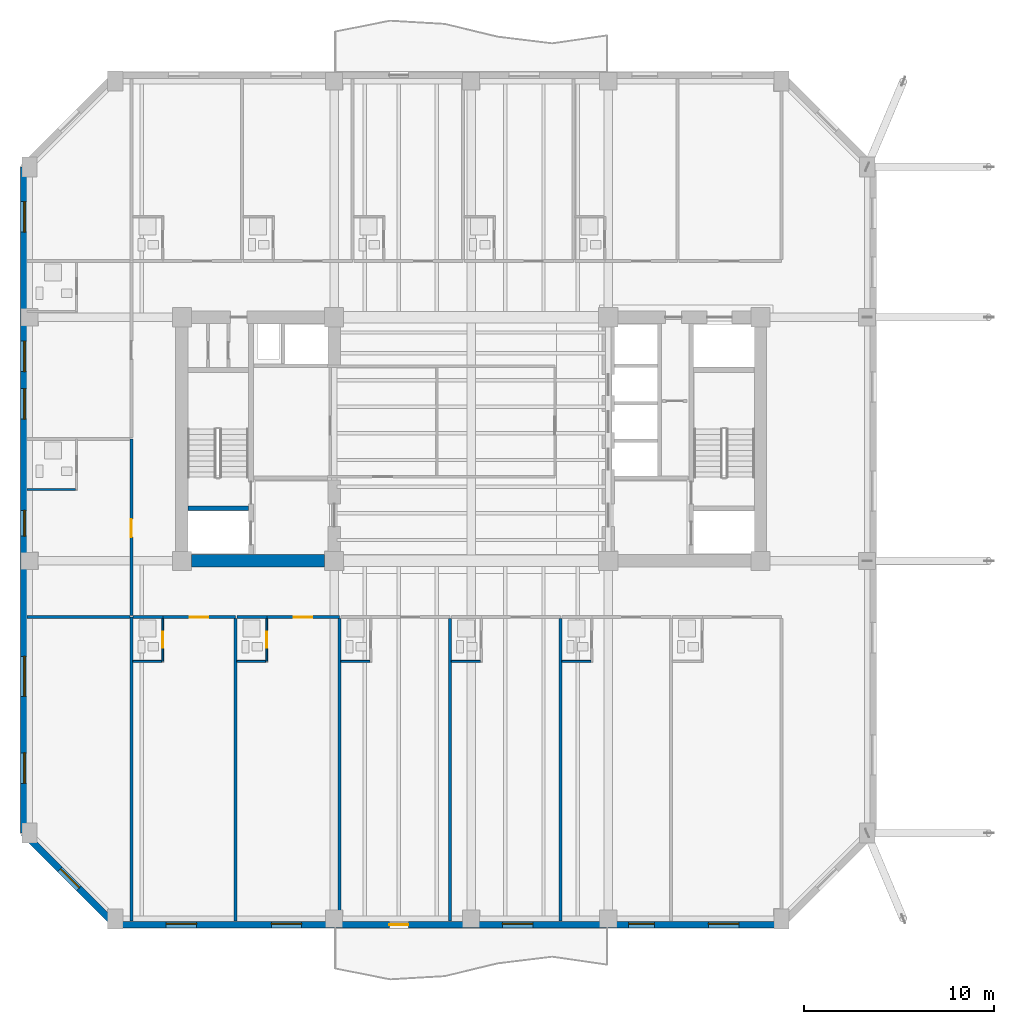
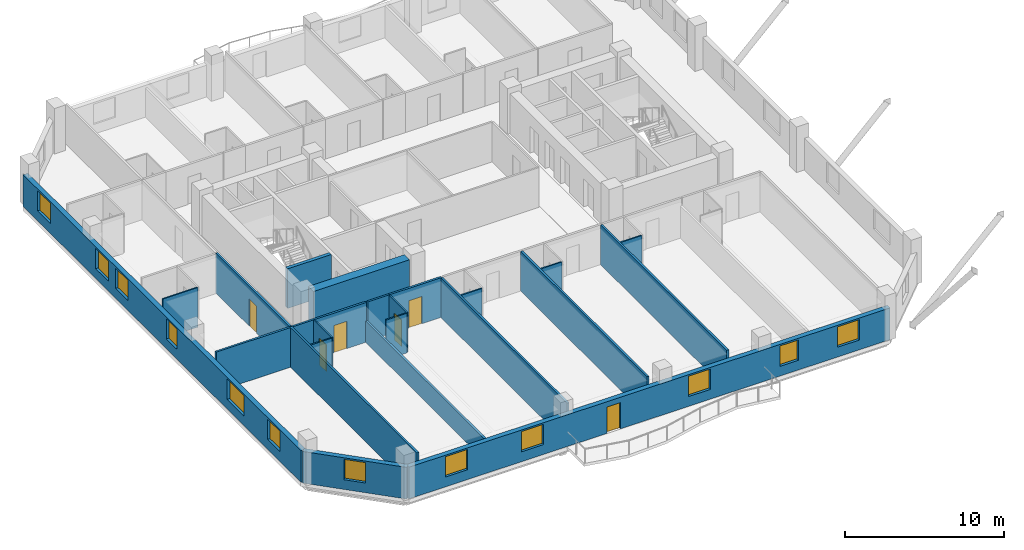
# One storey, part 5 of 14: 24 walls, 12 windows, 6 doors, 18 openings.
"""IFC4 building model written with IfcOpenShell, lengths in metres."""

import ifcopenshell
import ifcopenshell.guid

model = None  # the IFC model being written
_history = None  # IfcOwnerHistory: only IFC2X3 demands one
_inside = {}  # id of a spatial element -> (the spatial element, [elements in it])
_under = {}  # id of a project, library or spatial element -> (it, [spatial elements below it])
_declared = {}  # id of a project -> (the project, [libraries it declares])
_typed = {}  # id of a type object -> (the type object, [elements of that type])
_made_of = {}  # id of a material, layer set ... -> (it, [elements and type objects made of it])


def new_model(schema):
    """Start an empty IFC model of exactly this schema.

    Asked for "IFC4X3", IfcOpenShell would pick the latest addendum, in which some entities
    have other attributes; the version numbers below select the first issue.
    IFC2X3 requires an IfcOwnerHistory on every rooted entity: one is made here for all.
    """
    global model, _history
    if schema == "IFC4X3":
        model = ifcopenshell.file(schema_version=(4, 3, 0, 0))
    else:
        model = ifcopenshell.file(schema=schema)
    _inside.clear()
    _under.clear()
    _declared.clear()
    _typed.clear()
    _made_of.clear()
    _history = None
    if model.schema == "IFC2X3":
        org = make("IfcOrganization", Name="unknown")
        user = make(
            "IfcPersonAndOrganization",
            ThePerson=make("IfcPerson", FamilyName="unknown"),
            TheOrganization=org,
        )
        app = make(
            "IfcApplication",
            ApplicationDeveloper=org,
            Version="unknown",
            ApplicationFullName="unknown",
            ApplicationIdentifier="unknown",
        )
        _history = make(
            "IfcOwnerHistory",
            OwningUser=user,
            OwningApplication=app,
            ChangeAction="ADDED",
            CreationDate=0,
        )
    return model


def make(cls, **values):
    """One entity of the class cls with the attributes given. An attribute that is None is left unset."""
    return model.create_entity(
        cls, **{name: value for name, value in values.items() if value is not None}
    )


def rooted(cls, **values):
    """An entity with a GlobalId (a new one), such as an element, a storey or a relation."""
    return make(cls, GlobalId=ifcopenshell.guid.new(), OwnerHistory=_history, **values)


def si_unit(unit_type, name, prefix=None):
    """IfcSIUnit, for example si_unit("LENGTHUNIT", "METRE", prefix="MILLI")."""
    return make("IfcSIUnit", UnitType=unit_type, Prefix=prefix, Name=name)


def assignment(units):
    """IfcUnitAssignment: the units of a project."""
    return None if units is None else make("IfcUnitAssignment", Units=units)


def point(xyz):
    """IfcCartesianPoint."""
    return None if xyz is None else make("IfcCartesianPoint", Coordinates=xyz)


def direction(xyz):
    """IfcDirection."""
    return None if xyz is None else make("IfcDirection", DirectionRatios=xyz)


def frame(location, z_axis=None, x_axis=None):
    """IfcAxis2Placement3D, a coordinate frame: its origin and axes. An axis left out is left unset."""
    return make(
        "IfcAxis2Placement3D",
        Location=point(location),
        Axis=direction(z_axis),
        RefDirection=direction(x_axis),
    )


def frame_2d(location, x_axis=None):
    """IfcAxis2Placement2D, a coordinate frame in the plane: its origin and x axis."""
    return make(
        "IfcAxis2Placement2D", Location=point(location), RefDirection=direction(x_axis)
    )


def origin():
    """The frame at (0, 0, 0) with its axes left unset."""
    return frame((0.0, 0.0, 0.0))


def place(relative_to, where):
    """IfcLocalPlacement: puts the frame where relative to a parent placement (None: the world)."""
    return make(
        "IfcLocalPlacement", PlacementRelTo=relative_to, RelativePlacement=where
    )


def context(
    kind, dimensions, precision=None, world=None, true_north=None, identifier=None
):
    """IfcGeometricRepresentationContext, for example the 3D "Model" context."""
    return make(
        "IfcGeometricRepresentationContext",
        ContextIdentifier=identifier,
        ContextType=kind,
        CoordinateSpaceDimension=dimensions,
        Precision=precision,
        WorldCoordinateSystem=world,
        TrueNorth=true_north,
    )


def subcontext(parent, identifier, kind, view, scale=None):
    """IfcGeometricRepresentationSubContext, for example "Body" below "Model"."""
    return make(
        "IfcGeometricRepresentationSubContext",
        ContextIdentifier=identifier,
        ContextType=kind,
        ParentContext=parent,
        TargetScale=scale,
        TargetView=view,
    )


def project(units=None, contexts=None):
    """IfcProject with its units and contexts."""
    return rooted(
        "IfcProject",
        Name="project",
        RepresentationContexts=contexts,
        UnitsInContext=assignment(units),
    )


def spatial(cls, under=None, at=None, **own):
    """A site, building, storey or space (cls), placed at a placement, below another one or the project."""
    s = rooted(cls, ObjectPlacement=at, **own)
    if under is not None:
        _under.setdefault(under.id(), (under, []))[1].append(s)
    return s


def profile(cls, at=None, kind="AREA", **sizes):
    """A parametric profile (cls). Its sizes go by their IFC names, for example OverallWidth=200.0."""
    return make(cls, ProfileType=kind, Position=at, **sizes)


def rectangle(**sizes):
    """IfcRectangleProfileDef."""
    return profile("IfcRectangleProfileDef", **sizes)


def extrude(swept, where, along, depth):
    """IfcExtrudedAreaSolid: the profile swept, set in the frame where, extruded along a direction by depth."""
    return make(
        "IfcExtrudedAreaSolid",
        SweptArea=swept,
        Position=where,
        ExtrudedDirection=direction(along),
        Depth=depth,
    )


def shape(context_of_items, identifier, shape_type, items):
    """IfcShapeRepresentation: the items that make up one representation, for example the "Body"."""
    return make(
        "IfcShapeRepresentation",
        ContextOfItems=context_of_items,
        RepresentationIdentifier=identifier,
        RepresentationType=shape_type,
        Items=items,
    )


def material(Name=None, Category=None):
    """IfcMaterial."""
    return make("IfcMaterial", Name=Name, Category=Category)


def layer(
    of_material, thickness, ventilated=None, Name=None, Category=None, Priority=None
):
    """IfcMaterialLayer: one layer of a wall or slab, of a material (None: an air gap)."""
    return make(
        "IfcMaterialLayer",
        Material=of_material,
        LayerThickness=thickness,
        IsVentilated=ventilated,
        Name=Name,
        Category=Category,
        Priority=Priority,
    )


def layer_set(layers, Name=None):
    """IfcMaterialLayerSet."""
    return make("IfcMaterialLayerSet", MaterialLayers=layers, LayerSetName=Name)


def made_of(thing, what):
    """Note that an element or type object is made of a material, layer set ...; save() writes the relation."""
    if what is not None:
        _made_of.setdefault(what.id(), (what, []))[1].append(thing)
    return thing


def type_object(cls, material=None, **own):
    """A type object (cls), such as IfcWallType, which elements share."""
    return made_of(rooted(cls, **own), material)


def element(
    cls,
    number,
    at=None,
    inside=None,
    cuts=None,
    type_object=None,
    material=None,
    context=None,
    identifier="Body",
    shape_type=None,
    held_by="IfcProductDefinitionShape",
    body=None,
    shapes=None,
    **own,
):
    """One element of the class cls, such as IfcWall. Its Tag is "e" and its number.

    at: its placement. inside: the storey or other place that contains it. cuts: it is an
    opening in that element (IfcRelVoidsElement). A single representation is given by context,
    identifier, shape_type and body (its items); several are given by shapes. held_by: the class
    of the entity that holds the representations. save() writes the other relations.
    """
    e = rooted(cls, Tag="e%d" % number, ObjectPlacement=at, **own)
    if body is not None:
        shapes = [shape(context, identifier, shape_type, body)]
    if shapes is not None:
        e.Representation = make(held_by, Representations=shapes)
    if inside is not None:
        _inside.setdefault(inside.id(), (inside, []))[1].append(e)
    if cuts is not None:
        rooted(
            "IfcRelVoidsElement", RelatingBuildingElement=cuts, RelatedOpeningElement=e
        )
    if type_object is not None:
        _typed.setdefault(type_object.id(), (type_object, []))[1].append(e)
    return made_of(e, material)


def fill(opening, filler):
    """IfcRelFillsElement: the door or window that sits in an opening."""
    return rooted(
        "IfcRelFillsElement",
        RelatingOpeningElement=opening,
        RelatedBuildingElement=filler,
    )


def aggregate(whole, parts):
    """IfcRelAggregates: a whole, such as a stair, and the parts it consists of."""
    return rooted("IfcRelAggregates", RelatingObject=whole, RelatedObjects=parts)


def save(model, path):
    """Write the relations noted so far, then the file.

    IfcRelAggregates (storeys below a building ...), IfcRelContainedInSpatialStructure (elements
    in a storey), IfcRelDefinesByType, IfcRelAssociatesMaterial and IfcRelDeclares: one each for
    every whole, place, type object, material and project.
    """
    for whole, parts in _under.values():
        aggregate(whole, parts)
    for where, things in _inside.values():
        rooted(
            "IfcRelContainedInSpatialStructure",
            RelatedElements=things,
            RelatingStructure=where,
        )
    for kind, things in _typed.values():
        rooted("IfcRelDefinesByType", RelatedObjects=things, RelatingType=kind)
    for what, things in _made_of.values():
        rooted("IfcRelAssociatesMaterial", RelatedObjects=things, RelatingMaterial=what)
    for by, libraries in _declared.values():
        rooted("IfcRelDeclares", RelatingContext=by, RelatedDefinitions=libraries)
    model.write(path)


model = new_model("IFC4")

# Units and contexts
model_context = context("Model", 3, precision=1e-05, world=origin(), true_north=direction((0.0, 1.0)))
body_context = subcontext(model_context, "Body", "Model", "MODEL_VIEW")
ifc_project = project(units=[si_unit("LENGTHUNIT", "METRE"), si_unit("AREAUNIT", "SQUARE_METRE"), si_unit("VOLUMEUNIT", "CUBIC_METRE"), si_unit("PLANEANGLEUNIT", "RADIAN"), si_unit("MASSUNIT", "GRAM", prefix="KILO")], contexts=[model_context])

# Site, building, storey
site_placement = place(None, origin())
site = spatial("IfcSite", under=ifc_project, at=site_placement, CompositionType="ELEMENT")
building_placement = place(site_placement, origin())
building = spatial("IfcBuilding", under=site, at=building_placement, Name="Kranthara Brick Stack", CompositionType="ELEMENT")
storey_placement = place(building_placement, frame((0.0, 0.0, 137.800048828125)))
storey = spatial("IfcBuildingStorey", under=building, at=storey_placement, Name="L34", CompositionType="ELEMENT", Elevation=137.800048828125)

# Wall, openings, door, windows
ifc_material_1 = material(Name="Kiln-fired clay brick masonry M15", Category="masonry")
ifc_layer_1 = layer(ifc_material_1, 0.35009765625)
ifc_layer_set_1 = layer_set([ifc_layer_1], Name="Kiln-fired clay brick masonry M15")
wall_type_1 = type_object("IfcWallType", Name="WL-BRK-SPND-350", PredefinedType="STANDARD", material=ifc_layer_set_1)
wall_1_placement = place(storey_placement, frame((44.300048828125, 1.695068359375, 0.0), z_axis=(0.0, 0.0, 1.0), x_axis=(-1.0, 0.0, 0.0)))
wall_1 = element("IfcWall", 1, at=wall_1_placement, inside=storey, type_object=wall_type_1, Name="L34 Exterior Brick Facade Wall SOUTH 1", PredefinedType="STANDARD", context=body_context, shape_type="SweptSolid", body=[
    extrude(rectangle(XDim=35.0, YDim=0.35009765625, at=frame_2d((17.5, 0.0))), origin(), (0.0, 0.0, 1.0), 2.43505859375),
])
opening_1_placement = place(wall_1_placement, frame((19.60009765625, 0.0, 0.0)))
opening_1 = element("IfcOpeningElement", 2, at=opening_1_placement, cuts=wall_1, Name="Opening D03", PredefinedType="OPENING", context=body_context, shape_type="SweptSolid", body=[
    extrude(rectangle(XDim=1.0, YDim=2.02001953125, at=frame_2d((0.5, 1.010009765625))), frame((0.0, 0.18505859375, 0.0), z_axis=(0.0, -1.0, 0.0), x_axis=(1.0, 0.0, 0.0)), (0.0, 0.0, 1.0), 0.3701171875),
])
opening_2_placement = place(wall_1_placement, frame((2.239990234375, 0.0, 0.75)))
opening_2 = element("IfcOpeningElement", 3, at=opening_2_placement, cuts=wall_1, Name="Opening WN04", PredefinedType="OPENING", context=body_context, shape_type="SweptSolid", body=[
    extrude(rectangle(XDim=1.60009765625, YDim=1.56494140625, at=frame_2d((0.800048828125, 0.782470703125))), frame((0.0, 0.18505859375, 0.0), z_axis=(0.0, -1.0, 0.0), x_axis=(1.0, 0.0, 0.0)), (0.0, 0.0, 1.0), 0.3701171875),
])
opening_3_placement = place(wall_1_placement, frame((6.677978515625, 0.0, 0.75)))
opening_3 = element("IfcOpeningElement", 4, at=opening_3_placement, cuts=wall_1, Name="Opening WN06", PredefinedType="OPENING", context=body_context, shape_type="SweptSolid", body=[
    extrude(rectangle(XDim=1.35009765625, YDim=1.56494140625, at=frame_2d((0.675048828125, 0.782470703125))), frame((0.0, 0.18505859375, 0.0), z_axis=(0.0, -1.0, 0.0), x_axis=(1.0, 0.0, 0.0)), (0.0, 0.0, 1.0), 0.3701171875),
])
opening_4_placement = place(wall_1_placement, frame((13.054931640625, 0.0, 0.75)))
opening_4 = element("IfcOpeningElement", 5, at=opening_4_placement, cuts=wall_1, Name="Opening WN04", PredefinedType="OPENING", context=body_context, shape_type="SweptSolid", body=[
    extrude(rectangle(XDim=1.60009765625, YDim=1.56494140625, at=frame_2d((0.800048828125, 0.782470703125))), frame((0.0, 0.18505859375, 0.0), z_axis=(0.0, -1.0, 0.0), x_axis=(1.0, 0.0, 0.0)), (0.0, 0.0, 1.0), 0.3701171875),
])
opening_5_placement = place(wall_1_placement, frame((25.199951171875, 0.0, 0.75)))
opening_5 = element("IfcOpeningElement", 6, at=opening_5_placement, cuts=wall_1, Name="Opening WN04", PredefinedType="OPENING", context=body_context, shape_type="SweptSolid", body=[
    extrude(rectangle(XDim=1.60009765625, YDim=1.56494140625, at=frame_2d((0.800048828125, 0.782470703125))), frame((0.0, 0.18505859375, 0.0), z_axis=(0.0, -1.0, 0.0), x_axis=(1.0, 0.0, 0.0)), (0.0, 0.0, 1.0), 0.3701171875),
])
opening_6_placement = place(wall_1_placement, frame((30.72509765625, 0.0, 0.75)))
opening_6 = element("IfcOpeningElement", 7, at=opening_6_placement, cuts=wall_1, Name="Opening WN04", PredefinedType="OPENING", context=body_context, shape_type="SweptSolid", body=[
    extrude(rectangle(XDim=1.60009765625, YDim=1.56494140625, at=frame_2d((0.800048828125, 0.782470703125))), frame((0.0, 0.18505859375, 0.0), z_axis=(0.0, -1.0, 0.0), x_axis=(1.0, 0.0, 0.0)), (0.0, 0.0, 1.0), 0.3701171875),
])
ifc_material_2 = material(Name="Bronze anodised aluminium and laminated glass", Category="aluminium")
door_type_1 = type_object("IfcDoorType", Name="DR-BALC-1000", OperationType="NOTDEFINED", PredefinedType="DOOR", material=ifc_material_2)
door_1_placement = place(opening_1_placement, origin())
door_1 = element("IfcDoor", 8, at=door_1_placement, inside=storey, type_object=door_type_1, Name="L34 South Balcony Terrace Door", OperationType="SINGLE_SWING_LEFT", OverallHeight=2.02001953125, OverallWidth=1.0, PredefinedType="DOOR", context=body_context, shape_type="SweptSolid", body=[
    extrude(rectangle(XDim=1.0, YDim=2.02001953125, at=frame_2d((0.5, 1.010009765625))), frame((0.0, 0.02490234375, 0.0), z_axis=(0.0, -1.0, 0.0), x_axis=(1.0, 0.0, 0.0)), (0.0, 0.0, 1.0), 0.050048828125),
])
fill(opening_1, door_1)
ifc_material_3 = material(Name="Double-glazed low-E solar control glass", Category="glass")
window_type_1 = type_object("IfcWindowType", Name="WN-HTL-1350x1850", PartitioningType="SINGLE_PANEL", PredefinedType="WINDOW", material=ifc_material_3)
window_1_placement = place(opening_3_placement, origin())
window_1 = element("IfcWindow", 9, at=window_1_placement, inside=storey, type_object=window_type_1, Name="L34 South Deep-Set Brick Window 02", OverallHeight=1.56494140625, OverallWidth=1.35009765625, PartitioningType="SINGLE_PANEL", PredefinedType="WINDOW", context=body_context, shape_type="SweptSolid", body=[
    extrude(rectangle(XDim=1.35009765625, YDim=1.56494140625, at=frame_2d((0.675048828125, 0.782470703125))), frame((0.0, -0.010009765625, 0.0), z_axis=(0.0, -1.0, 0.0), x_axis=(1.0, 0.0, 0.0)), (0.0, 0.0, 1.0), 0.06005859375),
])
fill(opening_3, window_1)
ifc_material_4 = material(Name="Double-glazed low-E solar control glass", Category="glass")
window_type_2 = type_object("IfcWindowType", Name="WN-HTL-1600x1850", PartitioningType="DOUBLE_PANEL_VERTICAL", PredefinedType="WINDOW", material=ifc_material_4)
window_2_placement = place(opening_2_placement, origin())
window_2 = element("IfcWindow", 10, at=window_2_placement, inside=storey, type_object=window_type_2, Name="L34 South Deep-Set Brick Window 01", OverallHeight=1.56494140625, OverallWidth=1.60009765625, PartitioningType="SINGLE_PANEL", PredefinedType="WINDOW", context=body_context, shape_type="SweptSolid", body=[
    extrude(rectangle(XDim=1.60009765625, YDim=1.56494140625, at=frame_2d((0.800048828125, 0.782470703125))), frame((0.0, -0.010009765625, 0.0), z_axis=(0.0, -1.0, 0.0), x_axis=(1.0, 0.0, 0.0)), (0.0, 0.0, 1.0), 0.06005859375),
])
fill(opening_2, window_2)
window_3_placement = place(opening_4_placement, origin())
window_3 = element("IfcWindow", 11, at=window_3_placement, inside=storey, type_object=window_type_2, Name="L34 South Deep-Set Brick Window 03", OverallHeight=1.56494140625, OverallWidth=1.60009765625, PartitioningType="SINGLE_PANEL", PredefinedType="WINDOW", context=body_context, shape_type="SweptSolid", body=[
    extrude(rectangle(XDim=1.60009765625, YDim=1.56494140625, at=frame_2d((0.800048828125, 0.782470703125))), frame((0.0, -0.010009765625, 0.0), z_axis=(0.0, -1.0, 0.0), x_axis=(1.0, 0.0, 0.0)), (0.0, 0.0, 1.0), 0.06005859375),
])
fill(opening_4, window_3)
window_4_placement = place(opening_5_placement, origin())
window_4 = element("IfcWindow", 12, at=window_4_placement, inside=storey, type_object=window_type_2, Name="L34 South Deep-Set Brick Window 04", OverallHeight=1.56494140625, OverallWidth=1.60009765625, PartitioningType="SINGLE_PANEL", PredefinedType="WINDOW", context=body_context, shape_type="SweptSolid", body=[
    extrude(rectangle(XDim=1.60009765625, YDim=1.56494140625, at=frame_2d((0.800048828125, 0.782470703125))), frame((0.0, -0.010009765625, 0.0), z_axis=(0.0, -1.0, 0.0), x_axis=(1.0, 0.0, 0.0)), (0.0, 0.0, 1.0), 0.06005859375),
])
fill(opening_5, window_4)
window_5_placement = place(opening_6_placement, origin())
window_5 = element("IfcWindow", 13, at=window_5_placement, inside=storey, type_object=window_type_2, Name="L34 South Deep-Set Brick Window 05", OverallHeight=1.56494140625, OverallWidth=1.60009765625, PartitioningType="SINGLE_PANEL", PredefinedType="WINDOW", context=body_context, shape_type="SweptSolid", body=[
    extrude(rectangle(XDim=1.60009765625, YDim=1.56494140625, at=frame_2d((0.800048828125, 0.782470703125))), frame((0.0, -0.010009765625, 0.0), z_axis=(0.0, -1.0, 0.0), x_axis=(1.0, 0.0, 0.0)), (0.0, 0.0, 1.0), 0.06005859375),
])
fill(opening_6, window_5)

# Wall, opening, window
wall_2_placement = place(storey_placement, frame((9.300048828125, 1.695068359375, 0.0), z_axis=(0.0, 0.0, 1.0), x_axis=(-0.707106781187, 0.707106781187, 0.0)))
wall_2 = element("IfcWall", 14, at=wall_2_placement, inside=storey, type_object=wall_type_1, Name="L34 Exterior Brick Facade Wall SW 1", PredefinedType="STANDARD", context=body_context, shape_type="SweptSolid", body=[
    extrude(rectangle(XDim=6.795166015625, YDim=0.35009765625, at=frame_2d((3.3974609375, 0.0))), origin(), (0.0, 0.0, 1.0), 2.43505859375),
])
opening_7_placement = place(wall_2_placement, frame((2.697998046875, 0.0, 0.75)))
opening_7 = element("IfcOpeningElement", 15, at=opening_7_placement, cuts=wall_2, Name="Opening WN10", PredefinedType="OPENING", context=body_context, shape_type="SweptSolid", body=[
    extrude(rectangle(XDim=1.39990234375, YDim=1.56494140625, at=frame_2d((0.699951171875, 0.782470703125))), frame((0.0, 0.18505859375, 0.0), z_axis=(0.0, -1.0, 0.0), x_axis=(1.0, 0.0, 0.0)), (0.0, 0.0, 1.0), 0.3701171875),
])
ifc_material_5 = material(Name="Double-glazed low-E solar control glass", Category="glass")
window_type_3 = type_object("IfcWindowType", Name="WN-CHM-1400x1750", PartitioningType="SINGLE_PANEL", PredefinedType="WINDOW", material=ifc_material_5)
window_6_placement = place(opening_7_placement, origin())
window_6 = element("IfcWindow", 16, at=window_6_placement, inside=storey, type_object=window_type_3, Name="L34 SW Chamfer Corner Window", OverallHeight=1.56494140625, OverallWidth=1.39990234375, PartitioningType="SINGLE_PANEL", PredefinedType="WINDOW", context=body_context, shape_type="SweptSolid", body=[
    extrude(rectangle(XDim=1.39990234375, YDim=1.56494140625, at=frame_2d((0.699951171875, 0.782470703125))), frame((0.0, -0.010009765625, 0.0), z_axis=(0.0, -1.0, 0.0), x_axis=(1.0, 0.0, 0.0)), (0.0, 0.0, 1.0), 0.06005859375),
])
fill(opening_7, window_6)

# Wall, openings, windows
wall_3_placement = place(storey_placement, frame((4.4951171875, 6.5, 0.0), z_axis=(0.0, 0.0, 1.0), x_axis=(0.0, 1.0, 0.0)))
wall_3 = element("IfcWall", 17, at=wall_3_placement, inside=storey, type_object=wall_type_1, Name="L34 Exterior Brick Facade Wall WEST 1", PredefinedType="STANDARD", context=body_context, shape_type="SweptSolid", body=[
    extrude(rectangle(XDim=35.0, YDim=0.35009765625, at=frame_2d((17.5, 0.0))), origin(), (0.0, 0.0, 1.0), 2.43505859375),
])
opening_8_placement = place(wall_3_placement, frame((2.613037109375, 0.0, 0.75)))
opening_8 = element("IfcOpeningElement", 18, at=opening_8_placement, cuts=wall_3, Name="Opening WN04", PredefinedType="OPENING", context=body_context, shape_type="SweptSolid", body=[
    extrude(rectangle(XDim=1.60009765625, YDim=1.56494140625, at=frame_2d((0.800048828125, 0.782470703125))), frame((0.0, 0.18505859375, 0.0), z_axis=(0.0, -1.0, 0.0), x_axis=(1.0, 0.0, 0.0)), (0.0, 0.0, 1.0), 0.3701171875),
])
opening_9_placement = place(wall_3_placement, frame((7.18701171875, 0.0, 0.75)))
opening_9 = element("IfcOpeningElement", 19, at=opening_9_placement, cuts=wall_3, Name="Opening WN05", PredefinedType="OPENING", context=body_context, shape_type="SweptSolid", body=[
    extrude(rectangle(XDim=2.10009765625, YDim=1.56494140625, at=frame_2d((1.050048828125, 0.782470703125))), frame((0.0, 0.18505859375, 0.0), z_axis=(0.0, -1.0, 0.0), x_axis=(1.0, 0.0, 0.0)), (0.0, 0.0, 1.0), 0.3701171875),
])
opening_10_placement = place(wall_3_placement, frame((15.60009765625, 0.0, 0.75)))
opening_10 = element("IfcOpeningElement", 20, at=opening_10_placement, cuts=wall_3, Name="Opening WN06", PredefinedType="OPENING", context=body_context, shape_type="SweptSolid", body=[
    extrude(rectangle(XDim=1.35009765625, YDim=1.56494140625, at=frame_2d((0.675048828125, 0.782470703125))), frame((0.0, 0.18505859375, 0.0), z_axis=(0.0, -1.0, 0.0), x_axis=(1.0, 0.0, 0.0)), (0.0, 0.0, 1.0), 0.3701171875),
])
opening_11_placement = place(wall_3_placement, frame((21.751953125, 0.0, 0.75)))
opening_11 = element("IfcOpeningElement", 21, at=opening_11_placement, cuts=wall_3, Name="Opening WN04", PredefinedType="OPENING", context=body_context, shape_type="SweptSolid", body=[
    extrude(rectangle(XDim=1.60009765625, YDim=1.56494140625, at=frame_2d((0.800048828125, 0.782470703125))), frame((0.0, 0.18505859375, 0.0), z_axis=(0.0, -1.0, 0.0), x_axis=(1.0, 0.0, 0.0)), (0.0, 0.0, 1.0), 0.3701171875),
])
opening_12_placement = place(wall_3_placement, frame((24.248046875, 0.0, 0.75)))
opening_12 = element("IfcOpeningElement", 22, at=opening_12_placement, cuts=wall_3, Name="Opening WN04", PredefinedType="OPENING", context=body_context, shape_type="SweptSolid", body=[
    extrude(rectangle(XDim=1.60009765625, YDim=1.56494140625, at=frame_2d((0.800048828125, 0.782470703125))), frame((0.0, 0.18505859375, 0.0), z_axis=(0.0, -1.0, 0.0), x_axis=(1.0, 0.0, 0.0)), (0.0, 0.0, 1.0), 0.3701171875),
])
opening_13_placement = place(wall_3_placement, frame((31.574951171875, 0.0, 0.75)))
opening_13 = element("IfcOpeningElement", 23, at=opening_13_placement, cuts=wall_3, Name="Opening WN04", PredefinedType="OPENING", context=body_context, shape_type="SweptSolid", body=[
    extrude(rectangle(XDim=1.60009765625, YDim=1.56494140625, at=frame_2d((0.800048828125, 0.782470703125))), frame((0.0, 0.18505859375, 0.0), z_axis=(0.0, -1.0, 0.0), x_axis=(1.0, 0.0, 0.0)), (0.0, 0.0, 1.0), 0.3701171875),
])
window_7_placement = place(opening_10_placement, origin())
window_7 = element("IfcWindow", 24, at=window_7_placement, inside=storey, type_object=window_type_1, Name="L34 West Deep-Set Brick Window 03", OverallHeight=1.56494140625, OverallWidth=1.35009765625, PartitioningType="SINGLE_PANEL", PredefinedType="WINDOW", context=body_context, shape_type="SweptSolid", body=[
    extrude(rectangle(XDim=1.35009765625, YDim=1.56494140625, at=frame_2d((0.675048828125, 0.782470703125))), frame((0.0, -0.010009765625, 0.0), z_axis=(0.0, -1.0, 0.0), x_axis=(1.0, 0.0, 0.0)), (0.0, 0.0, 1.0), 0.06005859375),
])
fill(opening_10, window_7)
window_8_placement = place(opening_8_placement, origin())
window_8 = element("IfcWindow", 25, at=window_8_placement, inside=storey, type_object=window_type_2, Name="L34 West Deep-Set Brick Window 01", OverallHeight=1.56494140625, OverallWidth=1.60009765625, PartitioningType="SINGLE_PANEL", PredefinedType="WINDOW", context=body_context, shape_type="SweptSolid", body=[
    extrude(rectangle(XDim=1.60009765625, YDim=1.56494140625, at=frame_2d((0.800048828125, 0.782470703125))), frame((0.0, -0.010009765625, 0.0), z_axis=(0.0, -1.0, 0.0), x_axis=(1.0, 0.0, 0.0)), (0.0, 0.0, 1.0), 0.06005859375),
])
fill(opening_8, window_8)
window_9_placement = place(opening_11_placement, origin())
window_9 = element("IfcWindow", 26, at=window_9_placement, inside=storey, type_object=window_type_2, Name="L34 West Deep-Set Brick Window 04", OverallHeight=1.56494140625, OverallWidth=1.60009765625, PartitioningType="SINGLE_PANEL", PredefinedType="WINDOW", context=body_context, shape_type="SweptSolid", body=[
    extrude(rectangle(XDim=1.60009765625, YDim=1.56494140625, at=frame_2d((0.800048828125, 0.782470703125))), frame((0.0, -0.010009765625, 0.0), z_axis=(0.0, -1.0, 0.0), x_axis=(1.0, 0.0, 0.0)), (0.0, 0.0, 1.0), 0.06005859375),
])
fill(opening_11, window_9)
window_10_placement = place(opening_12_placement, origin())
window_10 = element("IfcWindow", 27, at=window_10_placement, inside=storey, type_object=window_type_2, Name="L34 West Deep-Set Brick Window 05", OverallHeight=1.56494140625, OverallWidth=1.60009765625, PartitioningType="SINGLE_PANEL", PredefinedType="WINDOW", context=body_context, shape_type="SweptSolid", body=[
    extrude(rectangle(XDim=1.60009765625, YDim=1.56494140625, at=frame_2d((0.800048828125, 0.782470703125))), frame((0.0, -0.010009765625, 0.0), z_axis=(0.0, -1.0, 0.0), x_axis=(1.0, 0.0, 0.0)), (0.0, 0.0, 1.0), 0.06005859375),
])
fill(opening_12, window_10)
window_11_placement = place(opening_13_placement, origin())
window_11 = element("IfcWindow", 28, at=window_11_placement, inside=storey, type_object=window_type_2, Name="L34 West Deep-Set Brick Window 06", OverallHeight=1.56494140625, OverallWidth=1.60009765625, PartitioningType="SINGLE_PANEL", PredefinedType="WINDOW", context=body_context, shape_type="SweptSolid", body=[
    extrude(rectangle(XDim=1.60009765625, YDim=1.56494140625, at=frame_2d((0.800048828125, 0.782470703125))), frame((0.0, -0.010009765625, 0.0), z_axis=(0.0, -1.0, 0.0), x_axis=(1.0, 0.0, 0.0)), (0.0, 0.0, 1.0), 0.06005859375),
])
fill(opening_13, window_11)
ifc_material_6 = material(Name="Double-glazed low-E solar control glass", Category="glass")
window_type_4 = type_object("IfcWindowType", Name="WN-HTL-2100x1850", PartitioningType="DOUBLE_PANEL_VERTICAL", PredefinedType="WINDOW", material=ifc_material_6)
window_12_placement = place(opening_9_placement, origin())
window_12 = element("IfcWindow", 29, at=window_12_placement, inside=storey, type_object=window_type_4, Name="L34 West Deep-Set Brick Window 02", OverallHeight=1.56494140625, OverallWidth=2.10009765625, PartitioningType="SINGLE_PANEL", PredefinedType="WINDOW", context=body_context, shape_type="SweptSolid", body=[
    extrude(rectangle(XDim=2.10009765625, YDim=1.56494140625, at=frame_2d((1.050048828125, 0.782470703125))), frame((0.0, -0.010009765625, 0.0), z_axis=(0.0, -1.0, 0.0), x_axis=(1.0, 0.0, 0.0)), (0.0, 0.0, 1.0), 0.06005859375),
])
fill(opening_9, window_12)

# Walls
ifc_material_7 = material(Name="Concrete C50/60", Category="concrete")
ifc_layer_2 = layer(ifc_material_7, 0.25)
ifc_layer_set_2 = layer_set([ifc_layer_2], Name="Concrete C50/60")
wall_type_2 = type_object("IfcWallType", Name="WL-CORE-250", PredefinedType="SHEAR", material=ifc_layer_set_2)
wall_4_placement = place(storey_placement, frame((13.135009765625, 23.570068359375, 0.0), z_axis=(0.0, 0.0, 1.0), x_axis=(1.0, 0.0, 0.0)))
element("IfcWall", 30, at=wall_4_placement, inside=storey, type_object=wall_type_2, Name="L34 West Stairwell Bearing Wall WFF", PredefinedType="SHEAR", context=body_context, shape_type="SweptSolid", body=[
    extrude(rectangle(XDim=3.175048828125, YDim=0.25, at=frame_2d((1.58740234375, 0.0))), origin(), (0.0, 0.0, 1.0), 3.050048828125),
])
ifc_material_8 = material(Name="Concrete C60/75", Category="concrete")
ifc_layer_3 = layer(ifc_material_8, 0.64990234375)
ifc_layer_set_3 = layer_set([ifc_layer_3], Name="Concrete C60/75")
wall_type_3 = type_object("IfcWallType", Name="WL-CORE-650", PredefinedType="SHEAR", material=ifc_layer_set_3)
wall_5_placement = place(storey_placement, frame((13.304931640625, 20.800048828125, 0.0), z_axis=(0.0, 0.0, 1.0), x_axis=(1.0, 0.0, 0.0)))
element("IfcWall", 31, at=wall_5_placement, inside=storey, type_object=wall_type_3, Name="L34 West Core Shear Wall South", PredefinedType="SHEAR", context=body_context, shape_type="SweptSolid", body=[
    extrude(rectangle(XDim=6.989990234375, YDim=0.64990234375, at=frame_2d((3.4951171875, 0.0))), origin(), (0.0, 0.0, 1.0), 3.050048828125),
])

# Wall, opening, door
ifc_material_9 = material(Name="Moisture-resistant wet-room partition", Category="other")
ifc_layer_4 = layer(ifc_material_9, 0.10009765625)
ifc_layer_set_4 = layer_set([ifc_layer_4], Name="Moisture-resistant wet-room partition")
wall_type_4 = type_object("IfcWallType", Name="WL-PART-100", PredefinedType="PARTITIONING", material=ifc_layer_set_4)
wall_6_placement = place(storey_placement, frame((11.800048828125, 15.52001953125, 0.0), z_axis=(0.0, 0.0, 1.0), x_axis=(0.0, 1.0, 0.0)))
wall_6 = element("IfcWall", 32, at=wall_6_placement, inside=storey, type_object=wall_type_4, Name="L34 Interior Partition 012", PredefinedType="PARTITIONING", context=body_context, shape_type="SweptSolid", body=[
    extrude(rectangle(XDim=2.25, YDim=0.10009765625, at=frame_2d((1.125, 0.0))), origin(), (0.0, 0.0, 1.0), 3.050048828125),
])
opening_14_placement = place(wall_6_placement, frame((0.719970703125, 0.0, 0.0)))
opening_14 = element("IfcOpeningElement", 33, at=opening_14_placement, cuts=wall_6, Name="Opening D17", PredefinedType="OPENING", context=body_context, shape_type="SweptSolid", body=[
    extrude(rectangle(XDim=0.85009765625, YDim=2.050048828125, at=frame_2d((0.425048828125, 1.02490234375))), frame((0.0, 0.06005859375, 0.0), z_axis=(0.0, -1.0, 0.0), x_axis=(1.0, 0.0, 0.0)), (0.0, 0.0, 1.0), 0.1201171875),
])
ifc_material_10 = material(Name="Solid-core hardwood timber leaf in steel frame", Category="steel")
door_type_2 = type_object("IfcDoorType", Name="DR-WET-850", OperationType="NOTDEFINED", PredefinedType="DOOR", material=ifc_material_10)
door_2_placement = place(opening_14_placement, origin())
door_2 = element("IfcDoor", 34, at=door_2_placement, inside=storey, type_object=door_type_2, Name="L34 Key 01 En-Suite Door 07", OperationType="SINGLE_SWING_LEFT", OverallHeight=2.050048828125, OverallWidth=0.85009765625, PredefinedType="DOOR", context=body_context, shape_type="SweptSolid", body=[
    extrude(rectangle(XDim=0.85009765625, YDim=2.050048828125, at=frame_2d((0.425048828125, 1.02490234375))), frame((0.0, 0.02490234375, 0.0), z_axis=(0.0, -1.0, 0.0), x_axis=(1.0, 0.0, 0.0)), (0.0, 0.0, 1.0), 0.050048828125),
])
fill(opening_14, door_2)

# Wall
wall_7_placement = place(storey_placement, frame((10.22998046875, 15.52001953125, 0.0), z_axis=(0.0, 0.0, 1.0), x_axis=(1.0, 0.0, 0.0)))
element("IfcWall", 35, at=wall_7_placement, inside=storey, type_object=wall_type_4, Name="L34 Interior Partition 013", PredefinedType="PARTITIONING", context=body_context, shape_type="SweptSolid", body=[
    extrude(rectangle(XDim=1.51513671875, YDim=0.10009765625, at=frame_2d((0.757568359375, 0.0))), origin(), (0.0, 0.0, 1.0), 3.050048828125),
])

# Wall, opening, door
wall_8_placement = place(storey_placement, frame((17.263916015625, 15.52001953125, 0.0), z_axis=(0.0, 0.0, 1.0), x_axis=(0.0, 1.0, 0.0)))
wall_8 = element("IfcWall", 36, at=wall_8_placement, inside=storey, type_object=wall_type_4, Name="L34 Interior Partition 017", PredefinedType="PARTITIONING", context=body_context, shape_type="SweptSolid", body=[
    extrude(rectangle(XDim=2.25, YDim=0.10009765625, at=frame_2d((1.125, 0.0))), origin(), (0.0, 0.0, 1.0), 3.050048828125),
])
opening_15_placement = place(wall_8_placement, frame((0.719970703125, 0.0, 0.0)))
opening_15 = element("IfcOpeningElement", 37, at=opening_15_placement, cuts=wall_8, Name="Opening D17", PredefinedType="OPENING", context=body_context, shape_type="SweptSolid", body=[
    extrude(rectangle(XDim=0.85009765625, YDim=2.050048828125, at=frame_2d((0.425048828125, 1.02490234375))), frame((0.0, 0.06005859375, 0.0), z_axis=(0.0, -1.0, 0.0), x_axis=(1.0, 0.0, 0.0)), (0.0, 0.0, 1.0), 0.1201171875),
])
door_3_placement = place(opening_15_placement, origin())
door_3 = element("IfcDoor", 38, at=door_3_placement, inside=storey, type_object=door_type_2, Name="L34 Key 02 En-Suite Door 09", OperationType="SINGLE_SWING_LEFT", OverallHeight=2.050048828125, OverallWidth=0.85009765625, PredefinedType="DOOR", context=body_context, shape_type="SweptSolid", body=[
    extrude(rectangle(XDim=0.85009765625, YDim=2.050048828125, at=frame_2d((0.425048828125, 1.02490234375))), frame((0.0, 0.02490234375, 0.0), z_axis=(0.0, -1.0, 0.0), x_axis=(1.0, 0.0, 0.0)), (0.0, 0.0, 1.0), 0.050048828125),
])
fill(opening_15, door_3)

# Walls
wall_9_placement = place(storey_placement, frame((15.694091796875, 15.52001953125, 0.0), z_axis=(0.0, 0.0, 1.0), x_axis=(1.0, 0.0, 0.0)))
element("IfcWall", 39, at=wall_9_placement, inside=storey, type_object=wall_type_4, Name="L34 Interior Partition 018", PredefinedType="PARTITIONING", context=body_context, shape_type="SweptSolid", body=[
    extrude(rectangle(XDim=1.514892578125, YDim=0.10009765625, at=frame_2d((0.75732421875, 0.0))), origin(), (0.0, 0.0, 1.0), 3.050048828125),
])
for number, where, z_axis, x_axis, name in (
    (40, (21.157958984375, 15.52001953125, 0.0), (0.0, 0.0, 1.0), (1.0, 0.0, 0.0), "L34 Interior Partition 023"),
    (41, (26.962890625, 15.52001953125, 0.0), (0.0, 0.0, 1.0), (1.0, 0.0, 0.0), "L34 Interior Partition 028"),
):
    element("IfcWall", number, at=place(storey_placement, frame(where, z_axis=z_axis, x_axis=x_axis)), inside=storey, type_object=wall_type_4, Name=name, PredefinedType="PARTITIONING", context=body_context, shape_type="SweptSolid", body=[
        extrude(rectangle(XDim=1.51513671875, YDim=0.10009765625, at=frame_2d((0.757568359375, 0.0))), origin(), (0.0, 0.0, 1.0), 3.050048828125),
    ])
wall_10_placement = place(storey_placement, frame((32.76904296875, 15.52001953125, 0.0), z_axis=(0.0, 0.0, 1.0), x_axis=(1.0, 0.0, 0.0)))
element("IfcWall", 42, at=wall_10_placement, inside=storey, type_object=wall_type_4, Name="L34 Interior Partition 033", PredefinedType="PARTITIONING", context=body_context, shape_type="SweptSolid", body=[
    extrude(rectangle(XDim=1.514892578125, YDim=0.10009765625, at=frame_2d((0.75732421875, 0.0))), origin(), (0.0, 0.0, 1.0), 3.050048828125),
])
wall_11_placement = place(storey_placement, frame((4.675048828125, 24.550048828125, 0.0), z_axis=(0.0, 0.0, 1.0), x_axis=(1.0, 0.0, 0.0)))
element("IfcWall", 43, at=wall_11_placement, inside=storey, type_object=wall_type_4, Name="L34 Interior Partition 072", PredefinedType="PARTITIONING", context=body_context, shape_type="SweptSolid", body=[
    extrude(rectangle(XDim=2.5400390625, YDim=0.10009765625, at=frame_2d((1.27001953125, 0.0))), origin(), (0.0, 0.0, 1.0), 3.050048828125),
])
ifc_material_11 = material(Name="Fire-rated gypsum board partition", Category="other")
ifc_layer_5 = layer(ifc_material_11, 0.14990234375)
ifc_layer_set_5 = layer_set([ifc_layer_5], Name="Fire-rated gypsum board partition")
wall_type_5 = type_object("IfcWallType", Name="WL-PART-150", PredefinedType="PARTITIONING", material=ifc_layer_set_5)
wall_12_placement = place(storey_placement, frame((10.14990234375, 1.875, 0.0), z_axis=(0.0, 0.0, 1.0), x_axis=(0.0, 1.0, 0.0)))
element("IfcWall", 44, at=wall_12_placement, inside=storey, type_object=wall_type_5, Name="L34 Interior Partition 009", PredefinedType="PARTITIONING", context=body_context, shape_type="SweptSolid", body=[
    extrude(rectangle(XDim=15.97509765625, YDim=0.14990234375, at=frame_2d((7.987548828125, 0.0))), origin(), (0.0, 0.0, 1.0), 3.050048828125),
])
wall_13_placement = place(storey_placement, frame((10.22998046875, 17.85009765625, 0.0), z_axis=(0.0, 0.0, 1.0), x_axis=(1.0, 0.0, 0.0)))
element("IfcWall", 45, at=wall_13_placement, inside=storey, type_object=wall_type_5, Name="L34 Interior Partition 010", PredefinedType="PARTITIONING", context=body_context, shape_type="SweptSolid", body=[
    extrude(rectangle(XDim=1.570068359375, YDim=0.14990234375, at=frame_2d((0.78515625, 0.0))), origin(), (0.0, 0.0, 1.0), 3.050048828125),
])

# Wall, opening, door
wall_14_placement = place(storey_placement, frame((11.800048828125, 17.85009765625, 0.0), z_axis=(0.0, 0.0, 1.0), x_axis=(1.0, 0.0, 0.0)))
wall_14 = element("IfcWall", 46, at=wall_14_placement, inside=storey, type_object=wall_type_5, Name="L34 Interior Partition 011", PredefinedType="PARTITIONING", context=body_context, shape_type="SweptSolid", body=[
    extrude(rectangle(XDim=3.81396484375, YDim=0.14990234375, at=frame_2d((1.906982421875, 0.0))), origin(), (0.0, 0.0, 1.0), 3.050048828125),
])
opening_16_placement = place(wall_14_placement, frame((1.427001953125, 0.0, 0.0)))
opening_16 = element("IfcOpeningElement", 47, at=opening_16_placement, cuts=wall_14, Name="Opening D09", PredefinedType="OPENING", context=body_context, shape_type="SweptSolid", body=[
    extrude(rectangle(XDim=0.949951171875, YDim=2.10009765625, at=frame_2d((0.47509765625, 1.050048828125))), frame((0.0, 0.0849609375, 0.0), z_axis=(0.0, -1.0, 0.0), x_axis=(1.0, 0.0, 0.0)), (0.0, 0.0, 1.0), 0.169921875),
])
ifc_material_12 = material(Name="Solid-core hardwood timber leaf in steel frame", Category="steel")
door_type_3 = type_object("IfcDoorType", Name="DR-FD-950", OperationType="NOTDEFINED", PredefinedType="DOOR", material=ifc_material_12)
door_4_placement = place(opening_16_placement, origin())
door_4 = element("IfcDoor", 48, at=door_4_placement, inside=storey, type_object=door_type_3, Name="L34 Key 01 Entry 08", OperationType="SINGLE_SWING_RIGHT", OverallHeight=2.10009765625, OverallWidth=0.949951171875, PredefinedType="DOOR", context=body_context, shape_type="SweptSolid", body=[
    extrude(rectangle(XDim=0.949951171875, YDim=2.10009765625, at=frame_2d((0.47509765625, 1.050048828125))), frame((0.0, 0.02490234375, 0.0), z_axis=(0.0, -1.0, 0.0), x_axis=(1.0, 0.0, 0.0)), (0.0, 0.0, 1.0), 0.050048828125),
])
fill(opening_16, door_4)

# Walls
wall_15_placement = place(storey_placement, frame((15.614013671875, 1.875, 0.0), z_axis=(0.0, 0.0, 1.0), x_axis=(0.0, 1.0, 0.0)))
element("IfcWall", 49, at=wall_15_placement, inside=storey, type_object=wall_type_5, Name="L34 Interior Partition 014", PredefinedType="PARTITIONING", context=body_context, shape_type="SweptSolid", body=[
    extrude(rectangle(XDim=15.89501953125, YDim=0.14990234375, at=frame_2d((7.947509765625, 0.0))), origin(), (0.0, 0.0, 1.0), 1.635009765625),
])
wall_16_placement = place(storey_placement, frame((15.694091796875, 17.85009765625, 0.0), z_axis=(0.0, 0.0, 1.0), x_axis=(1.0, 0.0, 0.0)))
element("IfcWall", 50, at=wall_16_placement, inside=storey, type_object=wall_type_5, Name="L34 Interior Partition 015", PredefinedType="PARTITIONING", context=body_context, shape_type="SweptSolid", body=[
    extrude(rectangle(XDim=1.56982421875, YDim=0.14990234375, at=frame_2d((0.784912109375, 0.0))), origin(), (0.0, 0.0, 1.0), 3.050048828125),
])

# Wall, opening, door
wall_17_placement = place(storey_placement, frame((17.263916015625, 17.85009765625, 0.0), z_axis=(0.0, 0.0, 1.0), x_axis=(1.0, 0.0, 0.0)))
wall_17 = element("IfcWall", 51, at=wall_17_placement, inside=storey, type_object=wall_type_5, Name="L34 Interior Partition 016", PredefinedType="PARTITIONING", context=body_context, shape_type="SweptSolid", body=[
    extrude(rectangle(XDim=3.81396484375, YDim=0.14990234375, at=frame_2d((1.906982421875, 0.0))), origin(), (0.0, 0.0, 1.0), 3.050048828125),
])
opening_17_placement = place(wall_17_placement, frame((1.427001953125, 0.0, 0.0)))
opening_17 = element("IfcOpeningElement", 52, at=opening_17_placement, cuts=wall_17, Name="Opening D09", PredefinedType="OPENING", context=body_context, shape_type="SweptSolid", body=[
    extrude(rectangle(XDim=0.949951171875, YDim=2.10009765625, at=frame_2d((0.47509765625, 1.050048828125))), frame((0.0, 0.0849609375, 0.0), z_axis=(0.0, -1.0, 0.0), x_axis=(1.0, 0.0, 0.0)), (0.0, 0.0, 1.0), 0.169921875),
])
door_5_placement = place(opening_17_placement, origin())
door_5 = element("IfcDoor", 53, at=door_5_placement, inside=storey, type_object=door_type_3, Name="L34 Key 02 Entry 10", OperationType="SINGLE_SWING_RIGHT", OverallHeight=2.10009765625, OverallWidth=0.949951171875, PredefinedType="DOOR", context=body_context, shape_type="SweptSolid", body=[
    extrude(rectangle(XDim=0.949951171875, YDim=2.10009765625, at=frame_2d((0.47509765625, 1.050048828125))), frame((0.0, 0.02490234375, 0.0), z_axis=(0.0, -1.0, 0.0), x_axis=(1.0, 0.0, 0.0)), (0.0, 0.0, 1.0), 0.050048828125),
])
fill(opening_17, door_5)

# Walls
for number, where, z_axis, x_axis, name in (
    (54, (21.077880859375, 1.875, 0.0), (0.0, 0.0, 1.0), (0.0, 1.0, 0.0), "L34 Interior Partition 019"),
    (55, (26.883056640625, 1.875, 0.0), (0.0, 0.0, 1.0), (0.0, 1.0, 0.0), "L34 Interior Partition 024"),
    (56, (32.68896484375, 1.875, 0.0), (0.0, 0.0, 1.0), (0.0, 1.0, 0.0), "L34 Interior Partition 029"),
):
    element("IfcWall", number, at=place(storey_placement, frame(where, z_axis=z_axis, x_axis=x_axis)), inside=storey, type_object=wall_type_5, Name=name, PredefinedType="PARTITIONING", context=body_context, shape_type="SweptSolid", body=[
        extrude(rectangle(XDim=15.89501953125, YDim=0.14990234375, at=frame_2d((7.947509765625, 0.0))), origin(), (0.0, 0.0, 1.0), 3.050048828125),
    ])
wall_18_placement = place(storey_placement, frame((4.675048828125, 17.85009765625, 0.0), z_axis=(0.0, 0.0, 1.0), x_axis=(1.0, 0.0, 0.0)))
element("IfcWall", 57, at=wall_18_placement, inside=storey, type_object=wall_type_5, Name="L34 Interior Partition 068", PredefinedType="PARTITIONING", context=body_context, shape_type="SweptSolid", body=[
    extrude(rectangle(XDim=5.39501953125, YDim=0.14990234375, at=frame_2d((2.697509765625, 0.0))), origin(), (0.0, 0.0, 1.0), 3.050048828125),
])

# Wall, opening, door
wall_19_placement = place(storey_placement, frame((10.14990234375, 17.929931640625, 0.0), z_axis=(0.0, 0.0, 1.0), x_axis=(0.0, 1.0, 0.0)))
wall_19 = element("IfcWall", 58, at=wall_19_placement, inside=storey, type_object=wall_type_5, Name="L34 Interior Partition 070", PredefinedType="PARTITIONING", context=body_context, shape_type="SweptSolid", body=[
    extrude(rectangle(XDim=9.27001953125, YDim=0.14990234375, at=frame_2d((4.635009765625, 0.0))), origin(), (0.0, 0.0, 1.0), 3.050048828125),
])
opening_18_placement = place(wall_19_placement, frame((4.114990234375, 0.0, 0.0)))
opening_18 = element("IfcOpeningElement", 59, at=opening_18_placement, cuts=wall_19, Name="Opening D09", PredefinedType="OPENING", context=body_context, shape_type="SweptSolid", body=[
    extrude(rectangle(XDim=0.949951171875, YDim=2.10009765625, at=frame_2d((0.47509765625, 1.050048828125))), frame((0.0, 0.0849609375, 0.0), z_axis=(0.0, -1.0, 0.0), x_axis=(1.0, 0.0, 0.0)), (0.0, 0.0, 1.0), 0.169921875),
])
door_6_placement = place(opening_18_placement, origin())
door_6 = element("IfcDoor", 60, at=door_6_placement, inside=storey, type_object=door_type_3, Name="L34 West Key 13 31", OperationType="SINGLE_SWING_LEFT", OverallHeight=2.10009765625, OverallWidth=0.949951171875, PredefinedType="DOOR", context=body_context, shape_type="SweptSolid", body=[
    extrude(rectangle(XDim=0.949951171875, YDim=2.10009765625, at=frame_2d((0.47509765625, 1.050048828125))), frame((0.0, 0.02490234375, 0.0), z_axis=(0.0, -1.0, 0.0), x_axis=(1.0, 0.0, 0.0)), (0.0, 0.0, 1.0), 0.050048828125),
])
fill(opening_18, door_6)

save(model, "model.ifc")
